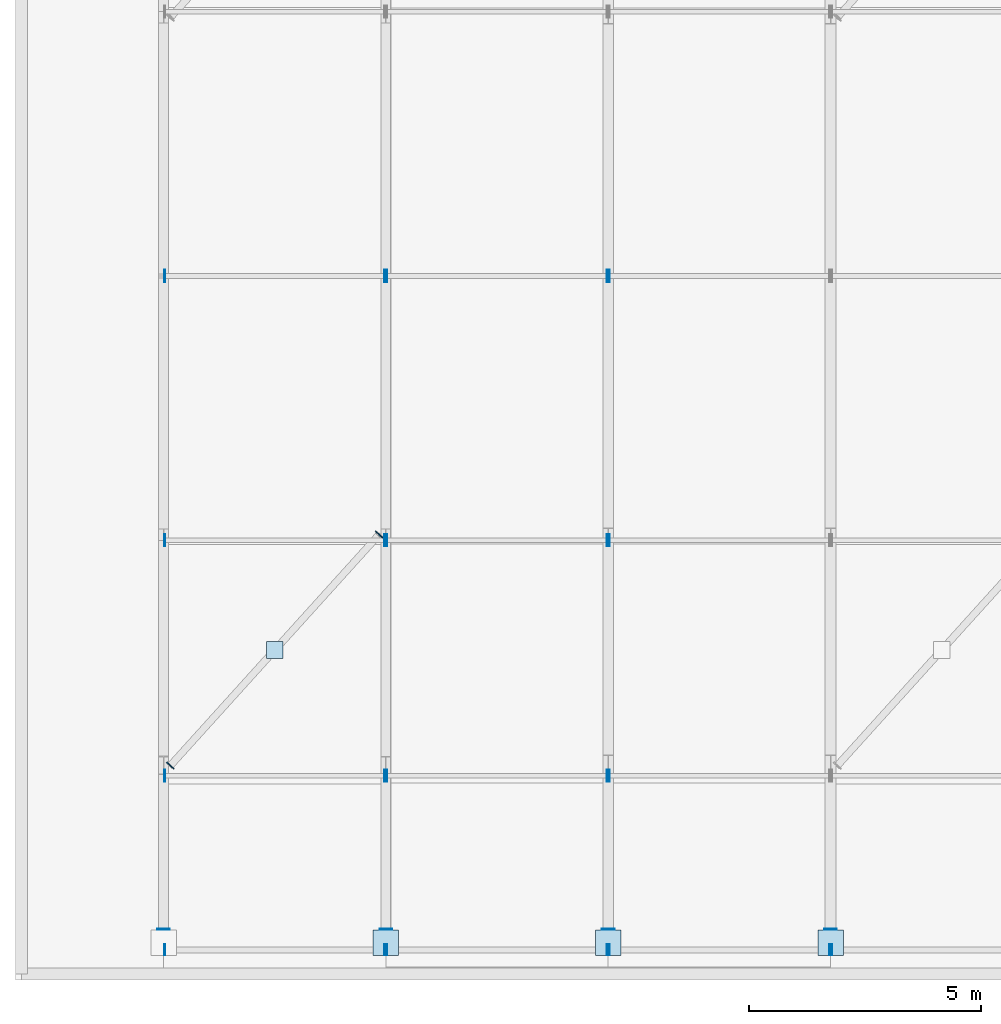
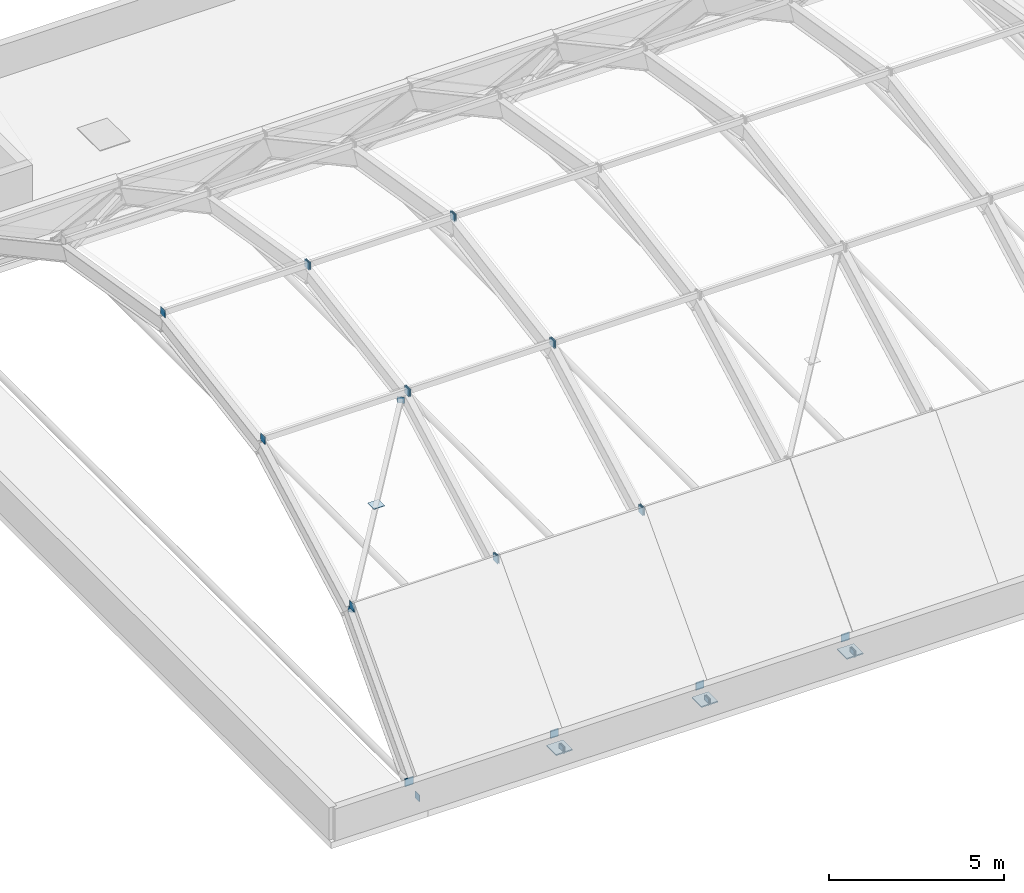
# One storey, part 3 of 10: 32 plates.
"""IFC4 building model written with IfcOpenShell, lengths in metres."""

from ifc_helpers import new_model, si_unit, direction, frame, origin, origin_2d, place, context, subcontext, project, spatial, rectangle, extrude, material, layer, layer_set, type_object, element, save


model = new_model("IFC4")

# Units and contexts
model_context = context("Model", 3, precision=1e-05, world=origin(), true_north=direction((0.0, 1.0)))
body_context = subcontext(model_context, "Body", "Model", "MODEL_VIEW")
ifc_project = project(units=[si_unit("LENGTHUNIT", "METRE"), si_unit("AREAUNIT", "SQUARE_METRE"), si_unit("VOLUMEUNIT", "CUBIC_METRE"), si_unit("PLANEANGLEUNIT", "RADIAN"), si_unit("MASSUNIT", "GRAM", prefix="KILO")], contexts=[model_context])

# Site, building, storey
site_placement = place(None, origin())
site = spatial("IfcSite", under=ifc_project, at=site_placement, CompositionType="ELEMENT")
building_placement = place(site_placement, origin())
building = spatial("IfcBuilding", under=site, at=building_placement, Name="Zantavel Square City Hall", CompositionType="ELEMENT")
storey_placement = place(building_placement, frame((0.0, 0.0, 28.5)))
storey = spatial("IfcBuildingStorey", under=building, at=storey_placement, Name="RF", CompositionType="ELEMENT", Elevation=28.5)

# Plates
ifc_material = material(Name="Steel ASTM A572 Grade 50", Category="steel")
ifc_layer_1 = layer(ifc_material, 0.01806640625, Name="Steel ASTM A572 Grade 50")
ifc_layer_set_1 = layer_set([ifc_layer_1], Name="Steel ASTM A572 Grade 50")
plate_type_1 = type_object("IfcPlateType", Name="CHS 219 End Cap Plate 18mm", PredefinedType="SHEET", material=ifc_layer_set_1)
for number, where, z_axis, x_axis, name in (
    (1, (67.199951171875, 31.493896484375, 0.212646484375), (0.0, 0.0, 1.0), (0.0, 1.0, 0.0), "Barrel Vault Rib 1 Tension Tie End Cap 1"),
    (2, (72.0, 31.493896484375, 0.212646484375), (0.0, 0.0, 1.0), (0.0, 1.0, 0.0), "Barrel Vault Rib 2 Tension Tie End Cap 1"),
    (3, (76.800048828125, 31.493896484375, 0.212646484375), (0.0, 0.0, 1.0), (0.0, 1.0, 0.0), "Barrel Vault Rib 3 Tension Tie End Cap 1"),
    (4, (81.60009765625, 31.493896484375, 0.212646484375), (0.0, 0.0, 1.0), (0.0, 1.0, 0.0), "Barrel Vault Rib 4 Tension Tie End Cap 1"),
):
    element("IfcPlate", number, at=place(storey_placement, frame(where, z_axis=z_axis, x_axis=x_axis)), inside=storey, type_object=plate_type_1, Name=name, PredefinedType="SHEET", context=body_context, shape_type="SweptSolid", body=[
        extrude(rectangle(XDim=0.01806640625, YDim=0.27490234375, at=origin_2d()), origin(), (0.0, 0.0, 1.0), 0.27490234375),
    ])
ifc_layer_2 = layer(ifc_material, 0.01611328125, Name="Steel ASTM A572 Grade 50")
ifc_layer_set_2 = layer_set([ifc_layer_2], Name="Steel ASTM A572 Grade 50")
plate_type_2 = type_object("IfcPlateType", Name="HSS 152x152 End Cap Plate 16mm", PredefinedType="SHEET", material=ifc_layer_set_2)
for number, where, z_axis, x_axis, name in (
    (5, (67.34619140625, 35.029296875, 4.062255859375), (0.0, 0.0, 1.0), (0.670437637843, 0.741965884501, 0.0), "Vault Wind Brace B1-C2 End Cap 1"),
    (6, (71.853759765625, 40.017578125, 6.764404296875), (0.0, 0.0, 1.0), (0.670437637843, 0.741965884501, 0.0), "Vault Wind Brace B1-C2 End Cap 2"),
):
    element("IfcPlate", number, at=place(storey_placement, frame(where, z_axis=z_axis, x_axis=x_axis)), inside=storey, type_object=plate_type_2, Name=name, PredefinedType="SHEET", context=body_context, shape_type="SweptSolid", body=[
        extrude(rectangle(XDim=0.02392578125, YDim=0.2099609375, at=origin_2d()), origin(), (0.0, 0.0, 1.0), 0.2099609375),
    ])
ifc_layer_3 = layer(ifc_material, 0.01611328125, Name="Steel ASTM A572 Grade 50")
ifc_layer_set_3 = layer_set([ifc_layer_3], Name="Steel ASTM A572 Grade 50")
plate_type_3 = type_object("IfcPlateType", Name="HSS 178x127 End Cap Plate 16mm", PredefinedType="SHEET", material=ifc_layer_set_3)
for number, where, z_axis, x_axis, name in (
    (7, (67.22412109375, 31.050048828125, -0.0283203125), (0.0, 0.0, 1.0), (1.0, 0.0, 0.0), "Vault Bay 1 Purlin 1 End Cap 1"),
    (8, (71.97607421875, 31.050048828125, -0.0283203125), (0.0, 0.0, 1.0), (1.0, 0.0, 0.0), "Vault Bay 1 Purlin 1 End Cap 2"),
    (9, (72.02392578125, 31.050048828125, -0.0283203125), (0.0, 0.0, 1.0), (1.0, 0.0, 0.0), "Vault Bay 2 Purlin 1 End Cap 1"),
    (10, (76.77587890625, 31.050048828125, -0.0283203125), (0.0, 0.0, 1.0), (1.0, 0.0, 0.0), "Vault Bay 2 Purlin 1 End Cap 2"),
    (11, (76.823974609375, 31.050048828125, -0.0283203125), (0.0, 0.0, 1.0), (1.0, 0.0, 0.0), "Vault Bay 3 Purlin 1 End Cap 1"),
    (12, (81.575927734375, 31.050048828125, -0.0283203125), (0.0, 0.0, 1.0), (1.0, 0.0, 0.0), "Vault Bay 3 Purlin 1 End Cap 2"),
    (13, (81.6240234375, 31.050048828125, -0.0283203125), (0.0, 0.0, 1.0), (1.0, 0.0, 0.0), "Vault Bay 4 Purlin 1 End Cap 1"),
):
    element("IfcPlate", number, at=place(storey_placement, frame(where, z_axis=z_axis, x_axis=x_axis)), inside=storey, type_object=plate_type_3, Name=name, PredefinedType="SHEET", context=body_context, shape_type="SweptSolid", body=[
        extrude(rectangle(XDim=0.01611328125, YDim=0.235107421875, at=origin_2d()), origin(), (0.0, 0.0, 1.0), 0.235107421875),
    ])
ifc_layer_4 = layer(ifc_material, 0.01611328125, Name="Steel ASTM A572 Grade 50")
ifc_layer_set_4 = layer_set([ifc_layer_4], Name="Steel ASTM A572 Grade 50")
plate_type_4 = type_object("IfcPlateType", Name="HSS 203x102 End Cap Plate 16mm", PredefinedType="SHEET", material=ifc_layer_set_4)
for number, where, z_axis, x_axis, name in (
    (14, (67.22412109375, 34.8076171875, 4.32958984375), (0.0, 0.0, 1.0), (1.0, 0.0, 0.0), "Vault Bay 1 Purlin 2 End Cap 1"),
    (15, (71.97607421875, 34.8076171875, 4.32958984375), (0.0, 0.0, 1.0), (1.0, 0.0, 0.0), "Vault Bay 1 Purlin 2 End Cap 2"),
    (16, (67.22412109375, 39.89404296875, 7.08447265625), (0.0, 0.0, 1.0), (1.0, 0.0, 0.0), "Vault Bay 1 Purlin 3 End Cap 1"),
    (17, (71.97607421875, 39.89404296875, 7.08447265625), (0.0, 0.0, 1.0), (1.0, 0.0, 0.0), "Vault Bay 1 Purlin 3 End Cap 2"),
    (18, (67.22412109375, 45.60009765625, 8.03759765625), (0.0, 0.0, 1.0), (1.0, 0.0, 0.0), "Vault Bay 1 Purlin 4 End Cap 1"),
    (19, (71.97607421875, 45.60009765625, 8.03759765625), (0.0, 0.0, 1.0), (1.0, 0.0, 0.0), "Vault Bay 1 Purlin 4 End Cap 2"),
    (20, (72.02392578125, 34.8076171875, 4.32958984375), (0.0, 0.0, 1.0), (1.0, 0.0, 0.0), "Vault Bay 2 Purlin 2 End Cap 1"),
    (21, (76.77587890625, 34.8076171875, 4.32958984375), (0.0, 0.0, 1.0), (1.0, 0.0, 0.0), "Vault Bay 2 Purlin 2 End Cap 2"),
    (22, (72.02392578125, 39.89404296875, 7.08447265625), (0.0, 0.0, 1.0), (1.0, 0.0, 0.0), "Vault Bay 2 Purlin 3 End Cap 1"),
    (23, (76.77587890625, 39.89404296875, 7.08447265625), (0.0, 0.0, 1.0), (1.0, 0.0, 0.0), "Vault Bay 2 Purlin 3 End Cap 2"),
    (24, (72.02392578125, 45.60009765625, 8.03759765625), (0.0, 0.0, 1.0), (1.0, 0.0, 0.0), "Vault Bay 2 Purlin 4 End Cap 1"),
    (25, (76.77587890625, 45.60009765625, 8.03759765625), (0.0, 0.0, 1.0), (1.0, 0.0, 0.0), "Vault Bay 2 Purlin 4 End Cap 2"),
    (26, (76.823974609375, 34.8076171875, 4.32958984375), (0.0, 0.0, 1.0), (1.0, 0.0, 0.0), "Vault Bay 3 Purlin 2 End Cap 1"),
    (27, (76.823974609375, 39.89404296875, 7.08447265625), (0.0, 0.0, 1.0), (1.0, 0.0, 0.0), "Vault Bay 3 Purlin 3 End Cap 1"),
    (28, (76.823974609375, 45.60009765625, 8.03759765625), (0.0, 0.0, 1.0), (1.0, 0.0, 0.0), "Vault Bay 3 Purlin 4 End Cap 1"),
):
    element("IfcPlate", number, at=place(storey_placement, frame(where, z_axis=z_axis, x_axis=x_axis)), inside=storey, type_object=plate_type_4, Name=name, PredefinedType="SHEET", context=body_context, shape_type="SweptSolid", body=[
        extrude(rectangle(XDim=0.01611328125, YDim=0.260009765625, at=origin_2d()), origin(), (0.0, 0.0, 1.0), 0.260009765625),
    ])
ifc_layer_5 = layer(ifc_material, 0.0400390625, Name="Steel ASTM A572 Grade 50")
ifc_layer_set_5 = layer_set([ifc_layer_5], Name="Steel ASTM A572 Grade 50")
plate_type_5 = type_object("IfcPlateType", Name="Vault Arch Base Shoe Plate 550x550x40", PredefinedType="SHEET", material=ifc_layer_set_5)
for number, where, z_axis, x_axis, name in (
    (29, (72.0, 31.199951171875, 0.0), (0.0, 0.0, 1.0), (1.0, 0.0, 0.0), "Barrel Vault Rib 2 Base Shoe Plate 1"),
    (30, (76.800048828125, 31.199951171875, 0.0), (0.0, 0.0, 1.0), (1.0, 0.0, 0.0), "Barrel Vault Rib 3 Base Shoe Plate 1"),
    (31, (81.60009765625, 31.199951171875, 0.0), (0.0, 0.0, 1.0), (1.0, 0.0, 0.0), "Barrel Vault Rib 4 Base Shoe Plate 1"),
):
    element("IfcPlate", number, at=place(storey_placement, frame(where, z_axis=z_axis, x_axis=x_axis)), inside=storey, type_object=plate_type_5, Name=name, PredefinedType="SHEET", context=body_context, shape_type="SweptSolid", body=[
        extrude(rectangle(XDim=0.550048828125, YDim=0.550048828125, at=origin_2d()), origin(), (0.0, 0.0, 1.0), 0.0400390625),
    ])
ifc_layer_6 = layer(ifc_material, 0.02392578125, Name="Steel ASTM A572 Grade 50")
ifc_layer_set_6 = layer_set([ifc_layer_6], Name="Steel ASTM A572 Grade 50")
plate_type_6 = type_object("IfcPlateType", Name="Vault Brace Gusset Plate 360x360x24", PredefinedType="USERDEFINED", material=ifc_layer_set_6)
plate_placement = place(storey_placement, frame((69.60009765625, 37.5234375, 5.50634765625), z_axis=(0.0, 0.0, 1.0), x_axis=(1.0, 0.0, 0.0)))
element("IfcPlate", 32, at=plate_placement, inside=storey, type_object=plate_type_6, Name="Vault Brace Gusset B1-C2", ObjectType="GUSSET PLATE", PredefinedType="USERDEFINED", context=body_context, shape_type="SweptSolid", body=[
    extrude(rectangle(XDim=0.360107421875, YDim=0.360107421875, at=origin_2d()), origin(), (0.0, 0.0, 1.0), 0.02392578125),
])

save(model, "model.ifc")
